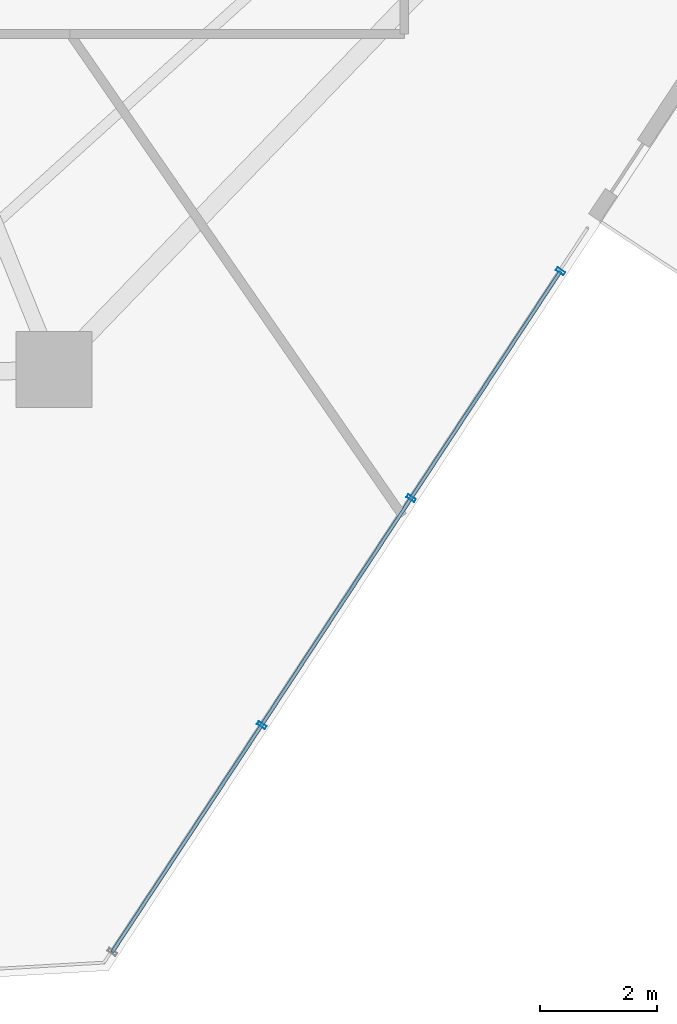
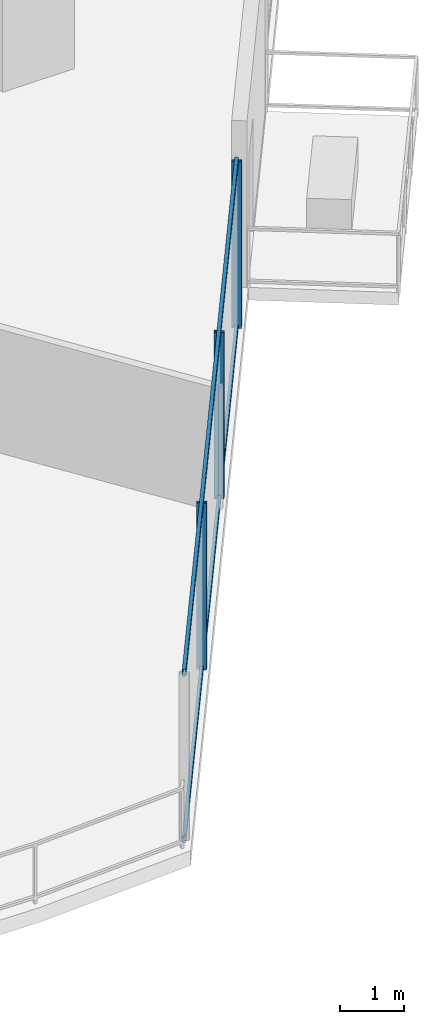
# One storey, part 9 of 28: 5 members, 1 element without a shape of its own.
"""IFC4 building model written with IfcOpenShell, lengths in metres."""

from ifc_helpers import new_model, si_unit, direction, frame, origin, origin_2d, place, context, subcontext, project, spatial, hollow_rectangle, extrude, material, layer, layer_set, material_profile, profile_set, type_object, element, aggregate, save


model = new_model("IFC4")

# Units and contexts
model_context = context("Model", 3, precision=1e-05, world=origin(), true_north=direction((0.0, 1.0)))
body_context = subcontext(model_context, "Body", "Model", "MODEL_VIEW")
ifc_project = project(units=[si_unit("LENGTHUNIT", "METRE"), si_unit("AREAUNIT", "SQUARE_METRE"), si_unit("VOLUMEUNIT", "CUBIC_METRE"), si_unit("PLANEANGLEUNIT", "RADIAN"), si_unit("MASSUNIT", "GRAM", prefix="KILO")], contexts=[model_context])

# Site, building, storey
site_placement = place(None, origin())
site = spatial("IfcSite", under=ifc_project, at=site_placement, CompositionType="ELEMENT")
building_placement = place(site_placement, origin())
building = spatial("IfcBuilding", under=site, at=building_placement, Name="Qarnah Convention Tower", CompositionType="ELEMENT")
storey_placement = place(building_placement, frame((0.0, 0.0, 54.60009765625)))
storey = spatial("IfcBuildingStorey", under=building, at=storey_placement, Name="L13", CompositionType="ELEMENT", Elevation=54.60009765625)

# Curtain wall, members
ifc_material_1 = material(Name="Tempered Low-E dark glass", Category="glass")
ifc_layer = layer(ifc_material_1, 0.16796875)
ifc_layer_set = layer_set([ifc_layer], Name="Tempered Low-E dark glass")
curtain_wall_type = type_object("IfcCurtainWallType", Name="CWS-01", PredefinedType="NOTDEFINED", material=ifc_layer_set)
curtain_wall_placement = place(storey_placement, origin())
curtain_wall = element("IfcCurtainWall", 1, at=curtain_wall_placement, inside=storey, type_object=curtain_wall_type, Name="L13 unitised curtain wall CW-L13-F4", PredefinedType="NOTDEFINED")
ifc_material_2 = material(Name="Black anodised aluminium", Category="aluminium")
ifc_material_profile_1 = material_profile(ifc_material_2, hollow_rectangle(XDim=0.06005859375, YDim=0.159912109375, WallThickness=0.00390625, at=origin_2d()), Name="MUL-60X160")
ifc_profile_set_1 = profile_set([ifc_material_profile_1], Name="Black anodised aluminium")
member_type_1 = type_object("IfcMemberType", Name="MUL-T1", PredefinedType="MULLION", material=ifc_profile_set_1)
member_1_placement = place(storey_placement, frame((52.073974609375, 12.737060546875, 0.0), z_axis=(0.0, 0.0, 1.0), x_axis=(-0.549879652203, -0.835243897369, 0.0)))
member_1 = element("IfcMember", 2, at=member_1_placement, type_object=member_type_1, Name="CW-L13-F4 mullion 1", PredefinedType="MULLION", context=body_context, shape_type="SweptSolid", body=[
    extrude(hollow_rectangle(XDim=0.06005859375, YDim=0.159912109375, WallThickness=0.00390625, at=origin_2d()), origin(), (0.0, 0.0, 1.0), 3.169921875),
])
member_2_placement = place(storey_placement, frame((49.515625, 8.85107421875, 0.0), z_axis=(0.0, 0.0, 1.0), x_axis=(-0.549879652203, -0.835243897369, 0.0)))
member_2 = element("IfcMember", 3, at=member_2_placement, type_object=member_type_1, Name="CW-L13-F4 mullion 2", PredefinedType="MULLION", context=body_context, shape_type="SweptSolid", body=[
    extrude(hollow_rectangle(XDim=0.06005859375, YDim=0.159912109375, WallThickness=0.00390625, at=origin_2d()), origin(), (0.0, 0.0, 1.0), 3.169921875),
])
member_3_placement = place(storey_placement, frame((46.957275390625, 4.965087890625, 0.0), z_axis=(0.0, 0.0, 1.0), x_axis=(-0.549879652203, -0.835243897369, 0.0)))
member_3 = element("IfcMember", 4, at=member_3_placement, type_object=member_type_1, Name="CW-L13-F4 mullion 3", PredefinedType="MULLION", context=body_context, shape_type="SweptSolid", body=[
    extrude(hollow_rectangle(XDim=0.06005859375, YDim=0.159912109375, WallThickness=0.00390625, at=origin_2d()), origin(), (0.0, 0.0, 1.0), 3.169921875),
])
ifc_material_profile_2 = material_profile(ifc_material_2, hollow_rectangle(XDim=0.06005859375, YDim=0.1298828125, WallThickness=0.00390625, at=origin_2d()), Name="TRN-60X130")
ifc_profile_set_2 = profile_set([ifc_material_profile_2], Name="Black anodised aluminium")
member_type_2 = type_object("IfcMemberType", Name="TRN-T1", PredefinedType="USERDEFINED", material=ifc_profile_set_2)
member_4_placement = place(storey_placement, frame((52.073974609375, 12.737060546875, 0.0), z_axis=(-0.549883438012, -0.835241404984, 0.0), x_axis=(0.835241404984, -0.549883438012, 0.0)))
member_4 = element("IfcMember", 5, at=member_4_placement, type_object=member_type_2, Name="CW-L13-F4 transom 1", ObjectType="TRANSOM", PredefinedType="USERDEFINED", context=body_context, shape_type="SweptSolid", body=[
    extrude(hollow_rectangle(XDim=0.06005859375, YDim=0.1298828125, WallThickness=0.00390625, at=origin_2d()), origin(), (0.0, 0.0, 1.0), 13.95751953125),
])
member_5_placement = place(storey_placement, frame((52.073974609375, 12.737060546875, 3.169921875), z_axis=(-0.549883438012, -0.835241404984, 0.0), x_axis=(0.835241404984, -0.549883438012, 0.0)))
member_5 = element("IfcMember", 6, at=member_5_placement, type_object=member_type_2, Name="CW-L13-F4 transom 2", ObjectType="TRANSOM", PredefinedType="USERDEFINED", context=body_context, shape_type="SweptSolid", body=[
    extrude(hollow_rectangle(XDim=0.06005859375, YDim=0.1298828125, WallThickness=0.00390625, at=origin_2d()), origin(), (0.0, 0.0, 1.0), 13.95751953125),
])
aggregate(curtain_wall, [member_1, member_2, member_3, member_4, member_5])

save(model, "model.ifc")
